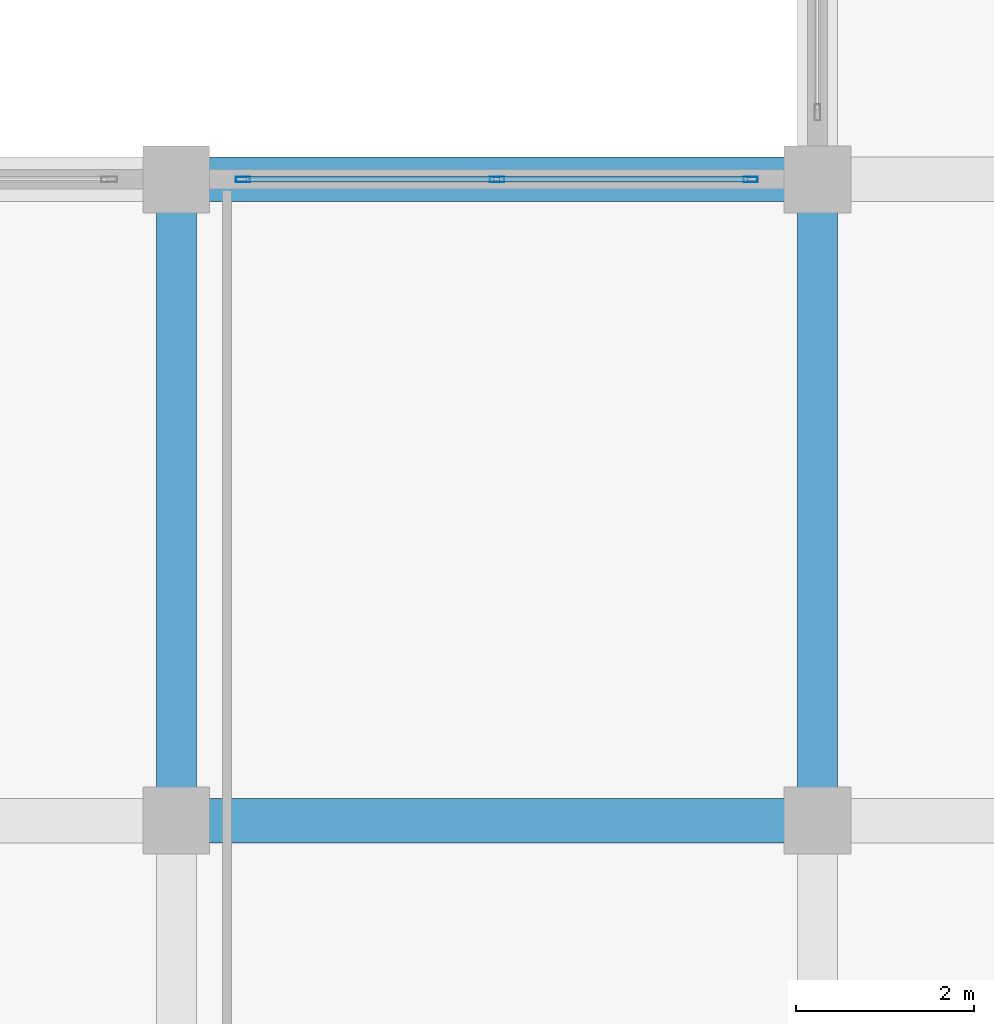
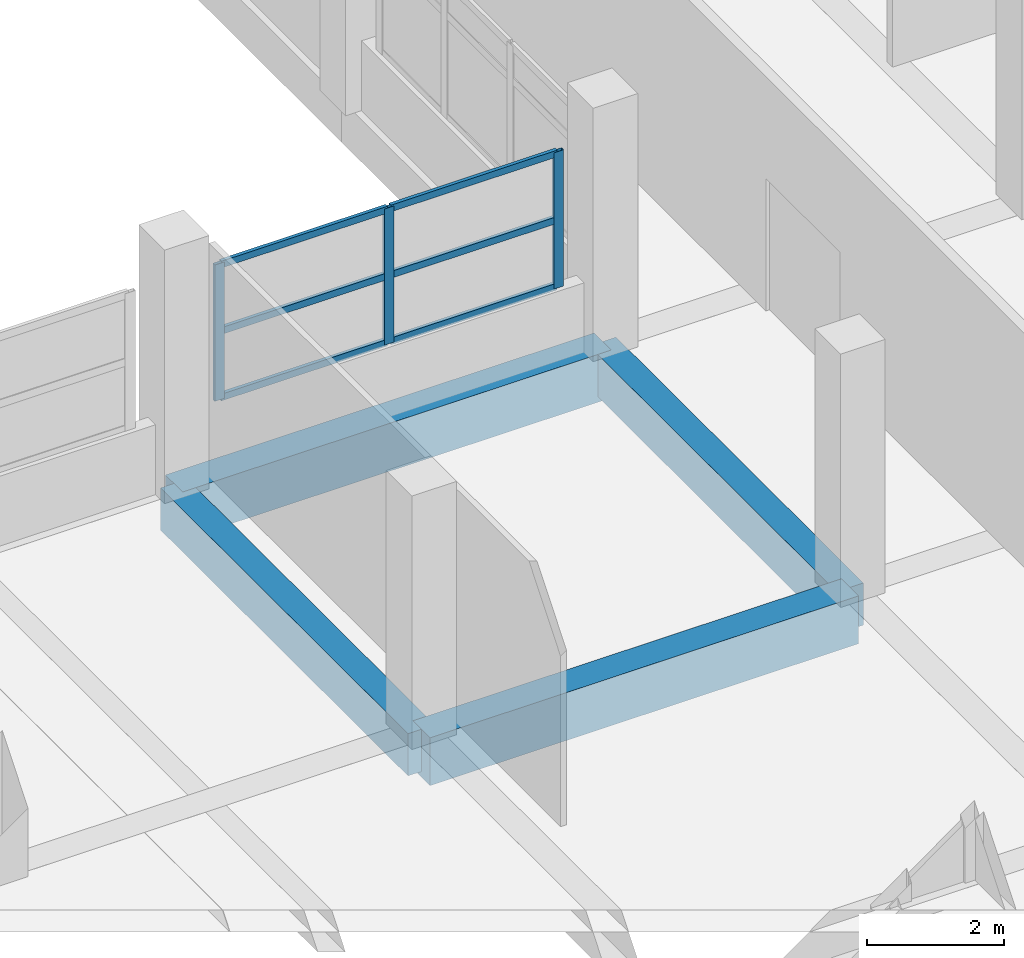
# One storey, part 32 of 141: 9 members, 4 beams, 1 element without a shape of its own.
"""IFC4 building model written with IfcOpenShell, lengths in metres."""

import ifcopenshell
import ifcopenshell.guid

model = None  # the IFC model being written
_history = None  # IfcOwnerHistory: only IFC2X3 demands one
_inside = {}  # id of a spatial element -> (the spatial element, [elements in it])
_under = {}  # id of a project, library or spatial element -> (it, [spatial elements below it])
_declared = {}  # id of a project -> (the project, [libraries it declares])
_typed = {}  # id of a type object -> (the type object, [elements of that type])
_made_of = {}  # id of a material, layer set ... -> (it, [elements and type objects made of it])


def new_model(schema):
    """Start an empty IFC model of exactly this schema.

    Asked for "IFC4X3", IfcOpenShell would pick the latest addendum, in which some entities
    have other attributes; the version numbers below select the first issue.
    IFC2X3 requires an IfcOwnerHistory on every rooted entity: one is made here for all.
    """
    global model, _history
    if schema == "IFC4X3":
        model = ifcopenshell.file(schema_version=(4, 3, 0, 0))
    else:
        model = ifcopenshell.file(schema=schema)
    _inside.clear()
    _under.clear()
    _declared.clear()
    _typed.clear()
    _made_of.clear()
    _history = None
    if model.schema == "IFC2X3":
        org = make("IfcOrganization", Name="unknown")
        user = make(
            "IfcPersonAndOrganization",
            ThePerson=make("IfcPerson", FamilyName="unknown"),
            TheOrganization=org,
        )
        app = make(
            "IfcApplication",
            ApplicationDeveloper=org,
            Version="unknown",
            ApplicationFullName="unknown",
            ApplicationIdentifier="unknown",
        )
        _history = make(
            "IfcOwnerHistory",
            OwningUser=user,
            OwningApplication=app,
            ChangeAction="ADDED",
            CreationDate=0,
        )
    return model


def make(cls, **values):
    """One entity of the class cls with the attributes given. An attribute that is None is left unset."""
    return model.create_entity(
        cls, **{name: value for name, value in values.items() if value is not None}
    )


def rooted(cls, **values):
    """An entity with a GlobalId (a new one), such as an element, a storey or a relation."""
    return make(cls, GlobalId=ifcopenshell.guid.new(), OwnerHistory=_history, **values)


def si_unit(unit_type, name, prefix=None):
    """IfcSIUnit, for example si_unit("LENGTHUNIT", "METRE", prefix="MILLI")."""
    return make("IfcSIUnit", UnitType=unit_type, Prefix=prefix, Name=name)


def assignment(units):
    """IfcUnitAssignment: the units of a project."""
    return None if units is None else make("IfcUnitAssignment", Units=units)


def point(xyz):
    """IfcCartesianPoint."""
    return None if xyz is None else make("IfcCartesianPoint", Coordinates=xyz)


def direction(xyz):
    """IfcDirection."""
    return None if xyz is None else make("IfcDirection", DirectionRatios=xyz)


def frame(location, z_axis=None, x_axis=None):
    """IfcAxis2Placement3D, a coordinate frame: its origin and axes. An axis left out is left unset."""
    return make(
        "IfcAxis2Placement3D",
        Location=point(location),
        Axis=direction(z_axis),
        RefDirection=direction(x_axis),
    )


def frame_2d(location, x_axis=None):
    """IfcAxis2Placement2D, a coordinate frame in the plane: its origin and x axis."""
    return make(
        "IfcAxis2Placement2D", Location=point(location), RefDirection=direction(x_axis)
    )


def origin():
    """The frame at (0, 0, 0) with its axes left unset."""
    return frame((0.0, 0.0, 0.0))


def origin_2d():
    """The frame at (0, 0) in the plane with its x axis left unset."""
    return frame_2d((0.0, 0.0))


def place(relative_to, where):
    """IfcLocalPlacement: puts the frame where relative to a parent placement (None: the world)."""
    return make(
        "IfcLocalPlacement", PlacementRelTo=relative_to, RelativePlacement=where
    )


def context(
    kind, dimensions, precision=None, world=None, true_north=None, identifier=None
):
    """IfcGeometricRepresentationContext, for example the 3D "Model" context."""
    return make(
        "IfcGeometricRepresentationContext",
        ContextIdentifier=identifier,
        ContextType=kind,
        CoordinateSpaceDimension=dimensions,
        Precision=precision,
        WorldCoordinateSystem=world,
        TrueNorth=true_north,
    )


def subcontext(parent, identifier, kind, view, scale=None):
    """IfcGeometricRepresentationSubContext, for example "Body" below "Model"."""
    return make(
        "IfcGeometricRepresentationSubContext",
        ContextIdentifier=identifier,
        ContextType=kind,
        ParentContext=parent,
        TargetScale=scale,
        TargetView=view,
    )


def project(units=None, contexts=None):
    """IfcProject with its units and contexts."""
    return rooted(
        "IfcProject",
        Name="project",
        RepresentationContexts=contexts,
        UnitsInContext=assignment(units),
    )


def spatial(cls, under=None, at=None, **own):
    """A site, building, storey or space (cls), placed at a placement, below another one or the project."""
    s = rooted(cls, ObjectPlacement=at, **own)
    if under is not None:
        _under.setdefault(under.id(), (under, []))[1].append(s)
    return s


def profile(cls, at=None, kind="AREA", **sizes):
    """A parametric profile (cls). Its sizes go by their IFC names, for example OverallWidth=200.0."""
    return make(cls, ProfileType=kind, Position=at, **sizes)


def rectangle(**sizes):
    """IfcRectangleProfileDef."""
    return profile("IfcRectangleProfileDef", **sizes)


def hollow_rectangle(**sizes):
    """IfcRectangleHollowProfileDef."""
    return profile("IfcRectangleHollowProfileDef", **sizes)


def extrude(swept, where, along, depth):
    """IfcExtrudedAreaSolid: the profile swept, set in the frame where, extruded along a direction by depth."""
    return make(
        "IfcExtrudedAreaSolid",
        SweptArea=swept,
        Position=where,
        ExtrudedDirection=direction(along),
        Depth=depth,
    )


def shape(context_of_items, identifier, shape_type, items):
    """IfcShapeRepresentation: the items that make up one representation, for example the "Body"."""
    return make(
        "IfcShapeRepresentation",
        ContextOfItems=context_of_items,
        RepresentationIdentifier=identifier,
        RepresentationType=shape_type,
        Items=items,
    )


def material(Name=None, Category=None):
    """IfcMaterial."""
    return make("IfcMaterial", Name=Name, Category=Category)


def layer(
    of_material, thickness, ventilated=None, Name=None, Category=None, Priority=None
):
    """IfcMaterialLayer: one layer of a wall or slab, of a material (None: an air gap)."""
    return make(
        "IfcMaterialLayer",
        Material=of_material,
        LayerThickness=thickness,
        IsVentilated=ventilated,
        Name=Name,
        Category=Category,
        Priority=Priority,
    )


def layer_set(layers, Name=None):
    """IfcMaterialLayerSet."""
    return make("IfcMaterialLayerSet", MaterialLayers=layers, LayerSetName=Name)


def material_profile(
    of_material, cross_section, Name=None, Category=None, Priority=None
):
    """IfcMaterialProfile: a cross section and its material."""
    return make(
        "IfcMaterialProfile",
        Name=Name,
        Material=of_material,
        Profile=cross_section,
        Priority=Priority,
        Category=Category,
    )


def profile_set(profiles, Name=None, composite=None):
    """IfcMaterialProfileSet."""
    return make(
        "IfcMaterialProfileSet",
        Name=Name,
        MaterialProfiles=profiles,
        CompositeProfile=composite,
    )


def made_of(thing, what):
    """Note that an element or type object is made of a material, layer set ...; save() writes the relation."""
    if what is not None:
        _made_of.setdefault(what.id(), (what, []))[1].append(thing)
    return thing


def type_object(cls, material=None, **own):
    """A type object (cls), such as IfcWallType, which elements share."""
    return made_of(rooted(cls, **own), material)


def element(
    cls,
    number,
    at=None,
    inside=None,
    cuts=None,
    type_object=None,
    material=None,
    context=None,
    identifier="Body",
    shape_type=None,
    held_by="IfcProductDefinitionShape",
    body=None,
    shapes=None,
    **own,
):
    """One element of the class cls, such as IfcWall. Its Tag is "e" and its number.

    at: its placement. inside: the storey or other place that contains it. cuts: it is an
    opening in that element (IfcRelVoidsElement). A single representation is given by context,
    identifier, shape_type and body (its items); several are given by shapes. held_by: the class
    of the entity that holds the representations. save() writes the other relations.
    """
    e = rooted(cls, Tag="e%d" % number, ObjectPlacement=at, **own)
    if body is not None:
        shapes = [shape(context, identifier, shape_type, body)]
    if shapes is not None:
        e.Representation = make(held_by, Representations=shapes)
    if inside is not None:
        _inside.setdefault(inside.id(), (inside, []))[1].append(e)
    if cuts is not None:
        rooted(
            "IfcRelVoidsElement", RelatingBuildingElement=cuts, RelatedOpeningElement=e
        )
    if type_object is not None:
        _typed.setdefault(type_object.id(), (type_object, []))[1].append(e)
    return made_of(e, material)


def aggregate(whole, parts):
    """IfcRelAggregates: a whole, such as a stair, and the parts it consists of."""
    return rooted("IfcRelAggregates", RelatingObject=whole, RelatedObjects=parts)


def save(model, path):
    """Write the relations noted so far, then the file.

    IfcRelAggregates (storeys below a building ...), IfcRelContainedInSpatialStructure (elements
    in a storey), IfcRelDefinesByType, IfcRelAssociatesMaterial and IfcRelDeclares: one each for
    every whole, place, type object, material and project.
    """
    for whole, parts in _under.values():
        aggregate(whole, parts)
    for where, things in _inside.values():
        rooted(
            "IfcRelContainedInSpatialStructure",
            RelatedElements=things,
            RelatingStructure=where,
        )
    for kind, things in _typed.values():
        rooted("IfcRelDefinesByType", RelatedObjects=things, RelatingType=kind)
    for what, things in _made_of.values():
        rooted("IfcRelAssociatesMaterial", RelatedObjects=things, RelatingMaterial=what)
    for by, libraries in _declared.values():
        rooted("IfcRelDeclares", RelatingContext=by, RelatedDefinitions=libraries)
    model.write(path)


model = new_model("IFC4")

# Units and contexts
model_context = context("Model", 3, precision=1e-05, world=origin(), true_north=direction((0.0, 1.0)))
body_context = subcontext(model_context, "Body", "Model", "MODEL_VIEW")
ifc_project = project(units=[si_unit("LENGTHUNIT", "METRE"), si_unit("AREAUNIT", "SQUARE_METRE"), si_unit("VOLUMEUNIT", "CUBIC_METRE"), si_unit("PLANEANGLEUNIT", "RADIAN"), si_unit("MASSUNIT", "GRAM", prefix="KILO")], contexts=[model_context])

# Site, building, storey
site_placement = place(None, origin())
site = spatial("IfcSite", under=ifc_project, at=site_placement, CompositionType="ELEMENT")
building_placement = place(site_placement, origin())
building = spatial("IfcBuilding", under=site, at=building_placement, Name="Seraya Terrace Polytechnic", CompositionType="ELEMENT")
storey_placement = place(building_placement, frame((0.0, 0.0, 14.39990234375)))
storey = spatial("IfcBuildingStorey", under=building, at=storey_placement, Name="L03", CompositionType="ELEMENT", Elevation=14.39990234375)

# Beams
ifc_material_1 = material(Name="Concrete C40/50", Category="concrete")
ifc_material_profile_1 = material_profile(ifc_material_1, rectangle(XDim=0.5, YDim=0.85009765625, at=origin_2d()), Name="RC 500x850")
ifc_profile_set_1 = profile_set([ifc_material_profile_1], Name="Concrete C40/50")
beam_type_1 = type_object("IfcBeamType", Name="BM-05", PredefinedType="BEAM", material=ifc_profile_set_1)
for number, where, z_axis, x_axis, name in (
    (1, (72.0, 21.60009765625, -0.4248046875), (1.0, 0.0, 0.0), (0.0, 1.0, 0.0), "Beam BM-05 L03 X (72.0..79.2, 21.6)"),
    (2, (72.0, 28.800048828125, -0.4248046875), (1.0, 0.0, 0.0), (0.0, 1.0, 0.0), "Beam BM-05 L03 X (72.0..79.2, 28.8)"),
):
    element("IfcBeam", number, at=place(storey_placement, frame(where, z_axis=z_axis, x_axis=x_axis)), inside=storey, type_object=beam_type_1, Name=name, PredefinedType="BEAM", context=body_context, shape_type="SweptSolid", body=[
        extrude(rectangle(XDim=0.5, YDim=0.85009765625, at=origin_2d()), origin(), (0.0, 0.0, 1.0), 7.199951171875),
    ])
ifc_material_profile_2 = material_profile(ifc_material_1, rectangle(XDim=0.449951171875, YDim=0.75, at=origin_2d()), Name="RC 450x750")
ifc_profile_set_2 = profile_set([ifc_material_profile_2], Name="Concrete C40/50")
beam_type_2 = type_object("IfcBeamType", Name="BM-08", PredefinedType="BEAM", material=ifc_profile_set_2)
for number, where, z_axis, x_axis, name in (
    (3, (72.0, 21.60009765625, -0.375), (0.0, 1.0, 0.0), (-1.0, 0.0, 0.0), "Beam BM-08 L03 Y (72.0, 21.6..28.8)"),
    (4, (79.199951171875, 21.60009765625, -0.375), (0.0, 1.0, 0.0), (-1.0, 0.0, 0.0), "Beam BM-08 L03 Y (79.2, 21.6..28.8)"),
):
    element("IfcBeam", number, at=place(storey_placement, frame(where, z_axis=z_axis, x_axis=x_axis)), inside=storey, type_object=beam_type_2, Name=name, PredefinedType="BEAM", context=body_context, shape_type="SweptSolid", body=[
        extrude(rectangle(XDim=0.449951171875, YDim=0.75, at=origin_2d()), origin(), (0.0, 0.0, 1.0), 7.199951171875),
    ])

# Curtain wall, members
ifc_material_2 = material(Name="Anodised aluminium EN AW-6063 T6", Category="aluminium")
ifc_layer = layer(ifc_material_2, 0.179931640625, Name="CW-11")
ifc_layer_set = layer_set([ifc_layer], Name="Anodised aluminium EN AW-6063 T6")
curtain_wall_type = type_object("IfcCurtainWallType", Name="CW-11", PredefinedType="NOTDEFINED", material=ifc_layer_set)
curtain_wall_placement = place(storey_placement, origin())
curtain_wall = element("IfcCurtainWall", 5, at=curtain_wall_placement, inside=storey, type_object=curtain_wall_type, Name="Unitised curtain wall CW-11 (CW-L03-155)", PredefinedType="NOTDEFINED")
ifc_material_profile_3 = material_profile(ifc_material_2, hollow_rectangle(XDim=0.06005859375, YDim=0.159912109375, WallThickness=0.00341796875, at=origin_2d()), Name="RHS 160x60x3.5")
ifc_profile_set_3 = profile_set([ifc_material_profile_3], Name="Anodised aluminium EN AW-6063 T6")
member_type_1 = type_object("IfcMemberType", Name="CWM-02", PredefinedType="MULLION", material=ifc_profile_set_3)
member_1_placement = place(storey_placement, frame((72.75, 28.800048828125, 1.239990234375), z_axis=(0.0, 0.0, 1.0), x_axis=(0.0, 1.0, 0.0)))
member_1 = element("IfcMember", 6, at=member_1_placement, type_object=member_type_1, Name="CW-11 mullion 1", PredefinedType="MULLION", context=body_context, shape_type="SweptSolid", body=[
    extrude(hollow_rectangle(XDim=0.06005859375, YDim=0.159912109375, WallThickness=0.00341796875, at=origin_2d()), origin(), (0.0, 0.0, 1.0), 2.420166015625),
])
member_2_placement = place(storey_placement, frame((75.60009765625, 28.800048828125, 1.239990234375), z_axis=(0.0, 0.0, 1.0), x_axis=(0.0, 1.0, 0.0)))
member_2 = element("IfcMember", 7, at=member_2_placement, type_object=member_type_1, Name="CW-11 mullion 2", PredefinedType="MULLION", context=body_context, shape_type="SweptSolid", body=[
    extrude(hollow_rectangle(XDim=0.06005859375, YDim=0.159912109375, WallThickness=0.00341796875, at=origin_2d()), origin(), (0.0, 0.0, 1.0), 2.420166015625),
])
member_3_placement = place(storey_placement, frame((78.449951171875, 28.800048828125, 1.239990234375), z_axis=(0.0, 0.0, 1.0), x_axis=(0.0, 1.0, 0.0)))
member_3 = element("IfcMember", 8, at=member_3_placement, type_object=member_type_1, Name="CW-11 mullion 3", PredefinedType="MULLION", context=body_context, shape_type="SweptSolid", body=[
    extrude(hollow_rectangle(XDim=0.06005859375, YDim=0.159912109375, WallThickness=0.00341796875, at=origin_2d()), origin(), (0.0, 0.0, 1.0), 2.420166015625),
])
ifc_material_profile_4 = material_profile(ifc_material_2, hollow_rectangle(XDim=0.06005859375, YDim=0.1201171875, WallThickness=0.003173828125, at=origin_2d()), Name="RHS 120x60x3.2")
ifc_profile_set_4 = profile_set([ifc_material_profile_4], Name="Anodised aluminium EN AW-6063 T6")
member_type_2 = type_object("IfcMemberType", Name="CWT-02", PredefinedType="USERDEFINED", material=ifc_profile_set_4)
member_4_placement = place(storey_placement, frame((72.780029296875, 28.800048828125, 1.27001953125), z_axis=(1.0, 0.0, 0.0), x_axis=(0.0, 1.0, 0.0)))
member_4 = element("IfcMember", 9, at=member_4_placement, type_object=member_type_2, Name="CW-11 transom 1.1", ObjectType="TRANSOM", PredefinedType="USERDEFINED", context=body_context, shape_type="SweptSolid", body=[
    extrude(hollow_rectangle(XDim=0.06005859375, YDim=0.1201171875, WallThickness=0.003173828125, at=origin_2d()), origin(), (0.0, 0.0, 1.0), 2.7900390625),
])
member_5_placement = place(storey_placement, frame((72.780029296875, 28.800048828125, 2.4501953125), z_axis=(1.0, 0.0, 0.0), x_axis=(0.0, 1.0, 0.0)))
member_5 = element("IfcMember", 10, at=member_5_placement, type_object=member_type_2, Name="CW-11 transom 1.2", ObjectType="TRANSOM", PredefinedType="USERDEFINED", context=body_context, shape_type="SweptSolid", body=[
    extrude(hollow_rectangle(XDim=0.06005859375, YDim=0.1201171875, WallThickness=0.003173828125, at=origin_2d()), origin(), (0.0, 0.0, 1.0), 2.7900390625),
])
member_6_placement = place(storey_placement, frame((72.780029296875, 28.800048828125, 3.630126953125), z_axis=(1.0, 0.0, 0.0), x_axis=(0.0, 1.0, 0.0)))
member_6 = element("IfcMember", 11, at=member_6_placement, type_object=member_type_2, Name="CW-11 transom 1.3", ObjectType="TRANSOM", PredefinedType="USERDEFINED", context=body_context, shape_type="SweptSolid", body=[
    extrude(hollow_rectangle(XDim=0.06005859375, YDim=0.1201171875, WallThickness=0.003173828125, at=origin_2d()), origin(), (0.0, 0.0, 1.0), 2.7900390625),
])
member_7_placement = place(storey_placement, frame((75.6298828125, 28.800048828125, 1.27001953125), z_axis=(1.0, 0.0, 0.0), x_axis=(0.0, 1.0, 0.0)))
member_7 = element("IfcMember", 12, at=member_7_placement, type_object=member_type_2, Name="CW-11 transom 2.1", ObjectType="TRANSOM", PredefinedType="USERDEFINED", context=body_context, shape_type="SweptSolid", body=[
    extrude(hollow_rectangle(XDim=0.06005859375, YDim=0.1201171875, WallThickness=0.003173828125, at=origin_2d()), origin(), (0.0, 0.0, 1.0), 2.7900390625),
])
member_8_placement = place(storey_placement, frame((75.6298828125, 28.800048828125, 2.4501953125), z_axis=(1.0, 0.0, 0.0), x_axis=(0.0, 1.0, 0.0)))
member_8 = element("IfcMember", 13, at=member_8_placement, type_object=member_type_2, Name="CW-11 transom 2.2", ObjectType="TRANSOM", PredefinedType="USERDEFINED", context=body_context, shape_type="SweptSolid", body=[
    extrude(hollow_rectangle(XDim=0.06005859375, YDim=0.1201171875, WallThickness=0.003173828125, at=origin_2d()), origin(), (0.0, 0.0, 1.0), 2.7900390625),
])
member_9_placement = place(storey_placement, frame((75.6298828125, 28.800048828125, 3.630126953125), z_axis=(1.0, 0.0, 0.0), x_axis=(0.0, 1.0, 0.0)))
member_9 = element("IfcMember", 14, at=member_9_placement, type_object=member_type_2, Name="CW-11 transom 2.3", ObjectType="TRANSOM", PredefinedType="USERDEFINED", context=body_context, shape_type="SweptSolid", body=[
    extrude(hollow_rectangle(XDim=0.06005859375, YDim=0.1201171875, WallThickness=0.003173828125, at=origin_2d()), origin(), (0.0, 0.0, 1.0), 2.7900390625),
])
aggregate(curtain_wall, [member_1, member_2, member_3, member_4, member_5, member_6, member_7, member_8, member_9])

save(model, "model.ifc")
